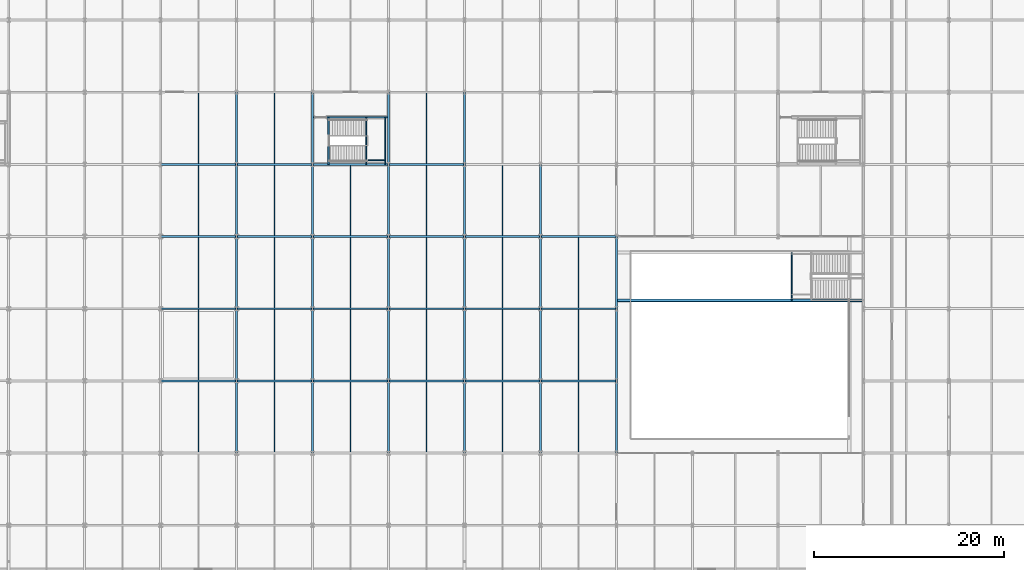
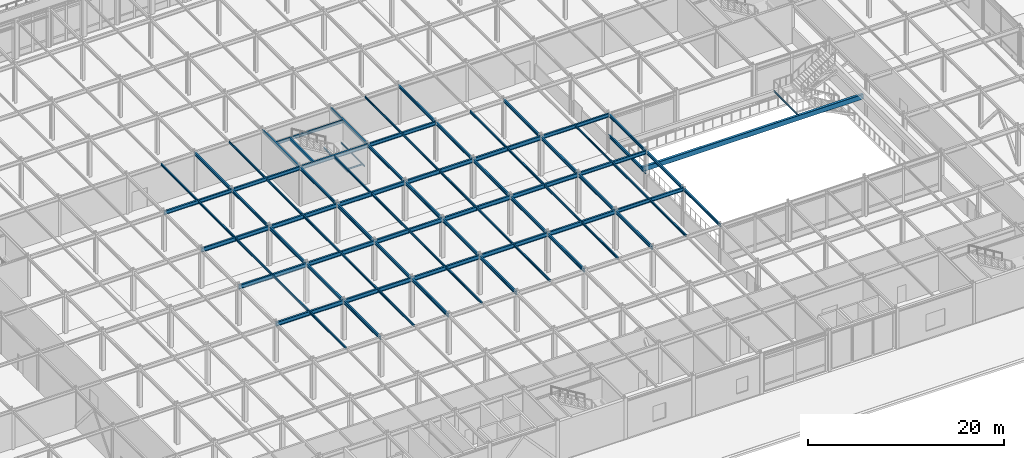
# One storey, part 31 of 113: 83 beams.
"""IFC4 building model written with IfcOpenShell, lengths in metres."""

from ifc_helpers import new_model, si_unit, direction, frame, origin, origin_2d, place, context, subcontext, project, spatial, hollow_rectangle, i_section, extrude, material, material_profile, profile_set, type_object, element, save


model = new_model("IFC4")

# Units and contexts
model_context = context("Model", 3, precision=1e-05, world=origin(), true_north=direction((0.0, 1.0)))
body_context = subcontext(model_context, "Body", "Model", "MODEL_VIEW")
ifc_project = project(units=[si_unit("LENGTHUNIT", "METRE"), si_unit("AREAUNIT", "SQUARE_METRE"), si_unit("VOLUMEUNIT", "CUBIC_METRE"), si_unit("PLANEANGLEUNIT", "RADIAN"), si_unit("MASSUNIT", "GRAM", prefix="KILO")], contexts=[model_context])

# Site, building, storey
site_placement = place(None, origin())
site = spatial("IfcSite", under=ifc_project, at=site_placement, CompositionType="ELEMENT")
building_placement = place(site_placement, origin())
building = spatial("IfcBuilding", under=site, at=building_placement, Name="Shalkamar Park Central Library", CompositionType="ELEMENT")
storey_placement = place(building_placement, frame((0.0, 0.0, 5.39990234375)))
storey = spatial("IfcBuildingStorey", under=building, at=storey_placement, Name="L02", CompositionType="ELEMENT", Elevation=5.39990234375)

# Beams
ifc_material = material(Name="Steel S355", Category="steel")
ifc_material_profile_1 = material_profile(ifc_material, hollow_rectangle(XDim=0.300048828125, YDim=0.60009765625, WallThickness=0.01611328125, InnerFilletRadius=0.01611328125, OuterFilletRadius=0.02392578125, at=origin_2d()), Name="RHS 600x300x16")
ifc_profile_set_1 = profile_set([ifc_material_profile_1], Name="Steel S355")
beam_type_1 = type_object("IfcBeamType", Name="Atrium Monumental Stringer RHS600x300", PredefinedType="BEAM", material=ifc_profile_set_1)
beam_1_placement = place(storey_placement, frame((229.0, 286.47998046875, 1.97021484375), z_axis=(1.0, 0.0, 0.0), x_axis=(0.0, 1.0, 0.0)))
element("IfcBeam", 1, at=beam_1_placement, inside=storey, type_object=beam_type_1, Name="Atrium Stair ST-A2 Carriage Girder S", PredefinedType="BEAM", context=body_context, shape_type="SweptSolid", body=[
    extrude(hollow_rectangle(XDim=0.300048828125, YDim=0.60009765625, WallThickness=0.01611328125, InnerFilletRadius=0.01611328125, OuterFilletRadius=0.02392578125, at=origin_2d()), origin(), (0.0, 0.0, 1.0), 26.0),
])
ifc_material_profile_2 = material_profile(ifc_material, i_section(OverallWidth=0.10009765625, OverallDepth=0.199951171875, WebThickness=0.005615234375, FlangeThickness=0.008544921875, FilletRadius=0.011962890625, at=origin_2d()), Name="IPE 200")
ifc_profile_set_2 = profile_set([ifc_material_profile_2], Name="Steel S355")
beam_type_2 = type_object("IfcBeamType", Name="Composite Floor Joist IPE200", PredefinedType="JOIST", material=ifc_profile_set_2)
for number, where, z_axis, x_axis, name in (
    (2, (202.675048828125, 300.800048828125, 2.170166015625), (0.0, 1.0, 0.0), (-1.0, 0.0, 0.0), "Stair Half-Landing Beam ST-P7-L02-1"),
    (3, (204.64501953125, 300.800048828125, 2.170166015625), (0.0, 1.0, 0.0), (-1.0, 0.0, 0.0), "Stair Half-Landing Beam ST-P7-L02-2"),
):
    element("IfcBeam", number, at=place(storey_placement, frame(where, z_axis=z_axis, x_axis=x_axis)), inside=storey, type_object=beam_type_2, Name=name, PredefinedType="JOIST", context=body_context, shape_type="SweptSolid", body=[
        extrude(i_section(OverallWidth=0.10009765625, OverallDepth=0.199951171875, WebThickness=0.005615234375, FlangeThickness=0.008544921875, FilletRadius=0.011962890625, at=origin_2d()), origin(), (0.0, 0.0, 1.0), 4.949951171875),
    ])
beam_2_placement = place(storey_placement, frame((202.675048828125, 301.22509765625, 2.170166015625), z_axis=(1.0, 0.0, 0.0), x_axis=(0.0, 1.0, 0.0)))
element("IfcBeam", 4, at=beam_2_placement, inside=storey, type_object=beam_type_2, Name="Stair Half-Landing Cross Tie ST-P7-L02-3", PredefinedType="JOIST", context=body_context, shape_type="SweptSolid", body=[
    extrude(i_section(OverallWidth=0.10009765625, OverallDepth=0.199951171875, WebThickness=0.005615234375, FlangeThickness=0.008544921875, FilletRadius=0.011962890625, at=origin_2d()), origin(), (0.0, 0.0, 1.0), 1.969970703125),
])
beam_3_placement = place(storey_placement, frame((247.449951171875, 286.47998046875, 2.170166015625), z_axis=(0.0, 1.0, 0.0), x_axis=(-1.0, 0.0, 0.0)))
element("IfcBeam", 5, at=beam_3_placement, inside=storey, type_object=beam_type_2, Name="Atrium Stair ST-A2 Landing Beam 1", PredefinedType="JOIST", context=body_context, shape_type="SweptSolid", body=[
    extrude(i_section(OverallWidth=0.10009765625, OverallDepth=0.199951171875, WebThickness=0.005615234375, FlangeThickness=0.008544921875, FilletRadius=0.011962890625, at=origin_2d()), origin(), (0.0, 0.0, 1.0), 5.0400390625),
])
ifc_material_profile_3 = material_profile(ifc_material, i_section(OverallWidth=0.1201171875, OverallDepth=0.239990234375, WebThickness=0.006103515625, FlangeThickness=0.009765625, FilletRadius=0.014892578125, at=origin_2d()), Name="IPE 240")
ifc_profile_set_3 = profile_set([ifc_material_profile_3], Name="Steel S355")
beam_type_3 = type_object("IfcBeamType", Name="Composite Floor Joist IPE240", PredefinedType="JOIST", material=ifc_profile_set_3)
for number, where, z_axis, x_axis, name in (
    (6, (185.0, 300.89306640625, 4.739990234375), (0.0, 1.0, 0.0), (-1.0, 0.0, 0.0), "Composite Joist 09/J-1 (L02)"),
    (7, (193.0, 300.89306640625, 4.739990234375), (0.0, 1.0, 0.0), (-1.0, 0.0, 0.0), "Composite Joist 10/J-1 (L02)"),
    (8, (209.0, 300.89306640625, 4.739990234375), (0.0, 1.0, 0.0), (-1.0, 0.0, 0.0), "Composite Joist 12/J-1 (L02)"),
    (9, (225.0, 285.693115234375, 4.739990234375), (0.0, 1.0, 0.0), (-1.0, 0.0, 0.0), "Composite Joist 14/G-1 (L02)"),
):
    element("IfcBeam", number, at=place(storey_placement, frame(where, z_axis=z_axis, x_axis=x_axis)), inside=storey, type_object=beam_type_3, Name=name, PredefinedType="JOIST", context=body_context, shape_type="SweptSolid", body=[
        extrude(i_section(OverallWidth=0.1201171875, OverallDepth=0.239990234375, WebThickness=0.006103515625, FlangeThickness=0.009765625, FilletRadius=0.014892578125, at=origin_2d()), origin(), (0.0, 0.0, 1.0), 7.413818359375),
    ])
ifc_material_profile_4 = material_profile(ifc_material, i_section(OverallWidth=0.135009765625, OverallDepth=0.27001953125, WebThickness=0.006591796875, FlangeThickness=0.01025390625, FilletRadius=0.014892578125, at=origin_2d()), Name="IPE 270")
ifc_profile_set_4 = profile_set([ifc_material_profile_4], Name="Steel S355")
beam_type_4 = type_object("IfcBeamType", Name="Composite Floor Joist IPE270", PredefinedType="JOIST", material=ifc_profile_set_4)
for number, where, z_axis, x_axis, name in (
    (10, (185.0, 270.498046875, 4.72509765625), (0.0, 1.0, 0.0), (-1.0, 0.0, 0.0), "Composite Joist 09/E-1 (L02)"),
    (11, (185.0, 278.097900390625, 4.72509765625), (0.0, 1.0, 0.0), (-1.0, 0.0, 0.0), "Composite Joist 09/F-1 (L02)"),
    (12, (185.0, 285.697998046875, 4.72509765625), (0.0, 1.0, 0.0), (-1.0, 0.0, 0.0), "Composite Joist 09/G-1 (L02)"),
):
    element("IfcBeam", number, at=place(storey_placement, frame(where, z_axis=z_axis, x_axis=x_axis)), inside=storey, type_object=beam_type_4, Name=name, PredefinedType="JOIST", context=body_context, shape_type="SweptSolid", body=[
        extrude(i_section(OverallWidth=0.135009765625, OverallDepth=0.27001953125, WebThickness=0.006591796875, FlangeThickness=0.01025390625, FilletRadius=0.014892578125, at=origin_2d()), origin(), (0.0, 0.0, 1.0), 7.404052734375),
    ])
beam_4_placement = place(storey_placement, frame((185.0, 293.298095703125, 4.72509765625), z_axis=(0.0, 1.0, 0.0), x_axis=(-1.0, 0.0, 0.0)))
element("IfcBeam", 13, at=beam_4_placement, inside=storey, type_object=beam_type_4, Name="Composite Joist 09/H-1 (L02)", PredefinedType="JOIST", context=body_context, shape_type="SweptSolid", body=[
    extrude(i_section(OverallWidth=0.135009765625, OverallDepth=0.27001953125, WebThickness=0.006591796875, FlangeThickness=0.01025390625, FilletRadius=0.014892578125, at=origin_2d()), origin(), (0.0, 0.0, 1.0), 7.408935546875),
])
for number, where, z_axis, x_axis, name in (
    (14, (193.0, 270.498046875, 4.72509765625), (0.0, 1.0, 0.0), (-1.0, 0.0, 0.0), "Composite Joist 10/E-1 (L02)"),
    (15, (193.0, 278.097900390625, 4.72509765625), (0.0, 1.0, 0.0), (-1.0, 0.0, 0.0), "Composite Joist 10/F-1 (L02)"),
    (16, (193.0, 285.697998046875, 4.72509765625), (0.0, 1.0, 0.0), (-1.0, 0.0, 0.0), "Composite Joist 10/G-1 (L02)"),
):
    element("IfcBeam", number, at=place(storey_placement, frame(where, z_axis=z_axis, x_axis=x_axis)), inside=storey, type_object=beam_type_4, Name=name, PredefinedType="JOIST", context=body_context, shape_type="SweptSolid", body=[
        extrude(i_section(OverallWidth=0.135009765625, OverallDepth=0.27001953125, WebThickness=0.006591796875, FlangeThickness=0.01025390625, FilletRadius=0.014892578125, at=origin_2d()), origin(), (0.0, 0.0, 1.0), 7.404052734375),
    ])
beam_5_placement = place(storey_placement, frame((193.0, 293.298095703125, 4.72509765625), z_axis=(0.0, 1.0, 0.0), x_axis=(-1.0, 0.0, 0.0)))
element("IfcBeam", 17, at=beam_5_placement, inside=storey, type_object=beam_type_4, Name="Composite Joist 10/H-1 (L02)", PredefinedType="JOIST", context=body_context, shape_type="SweptSolid", body=[
    extrude(i_section(OverallWidth=0.135009765625, OverallDepth=0.27001953125, WebThickness=0.006591796875, FlangeThickness=0.01025390625, FilletRadius=0.014892578125, at=origin_2d()), origin(), (0.0, 0.0, 1.0), 7.408935546875),
])
for number, where, z_axis, x_axis, name in (
    (18, (201.0, 270.498046875, 4.72509765625), (0.0, 1.0, 0.0), (-1.0, 0.0, 0.0), "Composite Joist 11/E-1 (L02)"),
    (19, (201.0, 278.097900390625, 4.72509765625), (0.0, 1.0, 0.0), (-1.0, 0.0, 0.0), "Composite Joist 11/F-1 (L02)"),
    (20, (201.0, 285.697998046875, 4.72509765625), (0.0, 1.0, 0.0), (-1.0, 0.0, 0.0), "Composite Joist 11/G-1 (L02)"),
):
    element("IfcBeam", number, at=place(storey_placement, frame(where, z_axis=z_axis, x_axis=x_axis)), inside=storey, type_object=beam_type_4, Name=name, PredefinedType="JOIST", context=body_context, shape_type="SweptSolid", body=[
        extrude(i_section(OverallWidth=0.135009765625, OverallDepth=0.27001953125, WebThickness=0.006591796875, FlangeThickness=0.01025390625, FilletRadius=0.014892578125, at=origin_2d()), origin(), (0.0, 0.0, 1.0), 7.404052734375),
    ])
beam_6_placement = place(storey_placement, frame((201.0, 293.298095703125, 4.72509765625), z_axis=(0.0, 1.0, 0.0), x_axis=(-1.0, 0.0, 0.0)))
element("IfcBeam", 21, at=beam_6_placement, inside=storey, type_object=beam_type_4, Name="Composite Joist 11/H-1 (L02)", PredefinedType="JOIST", context=body_context, shape_type="SweptSolid", body=[
    extrude(i_section(OverallWidth=0.135009765625, OverallDepth=0.27001953125, WebThickness=0.006591796875, FlangeThickness=0.01025390625, FilletRadius=0.014892578125, at=origin_2d()), origin(), (0.0, 0.0, 1.0), 7.408935546875),
])
for number, where, z_axis, x_axis, name in (
    (22, (209.0, 270.498046875, 4.72509765625), (0.0, 1.0, 0.0), (-1.0, 0.0, 0.0), "Composite Joist 12/E-1 (L02)"),
    (23, (209.0, 278.097900390625, 4.72509765625), (0.0, 1.0, 0.0), (-1.0, 0.0, 0.0), "Composite Joist 12/F-1 (L02)"),
    (24, (209.0, 285.697998046875, 4.72509765625), (0.0, 1.0, 0.0), (-1.0, 0.0, 0.0), "Composite Joist 12/G-1 (L02)"),
):
    element("IfcBeam", number, at=place(storey_placement, frame(where, z_axis=z_axis, x_axis=x_axis)), inside=storey, type_object=beam_type_4, Name=name, PredefinedType="JOIST", context=body_context, shape_type="SweptSolid", body=[
        extrude(i_section(OverallWidth=0.135009765625, OverallDepth=0.27001953125, WebThickness=0.006591796875, FlangeThickness=0.01025390625, FilletRadius=0.014892578125, at=origin_2d()), origin(), (0.0, 0.0, 1.0), 7.404052734375),
    ])
beam_7_placement = place(storey_placement, frame((209.0, 293.298095703125, 4.72509765625), z_axis=(0.0, 1.0, 0.0), x_axis=(-1.0, 0.0, 0.0)))
element("IfcBeam", 25, at=beam_7_placement, inside=storey, type_object=beam_type_4, Name="Composite Joist 12/H-1 (L02)", PredefinedType="JOIST", context=body_context, shape_type="SweptSolid", body=[
    extrude(i_section(OverallWidth=0.135009765625, OverallDepth=0.27001953125, WebThickness=0.006591796875, FlangeThickness=0.01025390625, FilletRadius=0.014892578125, at=origin_2d()), origin(), (0.0, 0.0, 1.0), 7.408935546875),
])
for number, where, z_axis, x_axis, name in (
    (26, (217.0, 270.498046875, 4.72509765625), (0.0, 1.0, 0.0), (-1.0, 0.0, 0.0), "Composite Joist 13/E-1 (L02)"),
    (27, (217.0, 278.097900390625, 4.72509765625), (0.0, 1.0, 0.0), (-1.0, 0.0, 0.0), "Composite Joist 13/F-1 (L02)"),
    (28, (217.0, 285.697998046875, 4.72509765625), (0.0, 1.0, 0.0), (-1.0, 0.0, 0.0), "Composite Joist 13/G-1 (L02)"),
):
    element("IfcBeam", number, at=place(storey_placement, frame(where, z_axis=z_axis, x_axis=x_axis)), inside=storey, type_object=beam_type_4, Name=name, PredefinedType="JOIST", context=body_context, shape_type="SweptSolid", body=[
        extrude(i_section(OverallWidth=0.135009765625, OverallDepth=0.27001953125, WebThickness=0.006591796875, FlangeThickness=0.01025390625, FilletRadius=0.014892578125, at=origin_2d()), origin(), (0.0, 0.0, 1.0), 7.404052734375),
    ])
beam_8_placement = place(storey_placement, frame((217.0, 293.298095703125, 4.72509765625), z_axis=(0.0, 1.0, 0.0), x_axis=(-1.0, 0.0, 0.0)))
element("IfcBeam", 29, at=beam_8_placement, inside=storey, type_object=beam_type_4, Name="Composite Joist 13/H-1 (L02)", PredefinedType="JOIST", context=body_context, shape_type="SweptSolid", body=[
    extrude(i_section(OverallWidth=0.135009765625, OverallDepth=0.27001953125, WebThickness=0.006591796875, FlangeThickness=0.01025390625, FilletRadius=0.014892578125, at=origin_2d()), origin(), (0.0, 0.0, 1.0), 7.408935546875),
])
for number, where, z_axis, x_axis, name in (
    (30, (225.0, 270.492919921875, 4.72509765625), (0.0, 1.0, 0.0), (-1.0, 0.0, 0.0), "Composite Joist 14/E-1 (L02)"),
    (31, (225.0, 278.093017578125, 4.72509765625), (0.0, 1.0, 0.0), (-1.0, 0.0, 0.0), "Composite Joist 14/F-1 (L02)"),
):
    element("IfcBeam", number, at=place(storey_placement, frame(where, z_axis=z_axis, x_axis=x_axis)), inside=storey, type_object=beam_type_4, Name=name, PredefinedType="JOIST", context=body_context, shape_type="SweptSolid", body=[
        extrude(i_section(OverallWidth=0.135009765625, OverallDepth=0.27001953125, WebThickness=0.006591796875, FlangeThickness=0.01025390625, FilletRadius=0.014892578125, at=origin_2d()), origin(), (0.0, 0.0, 1.0), 7.4140625),
    ])
ifc_material_profile_5 = material_profile(ifc_material, i_section(OverallWidth=0.169921875, OverallDepth=0.360107421875, WebThickness=0.008056640625, FlangeThickness=0.0126953125, FilletRadius=0.01806640625, at=origin_2d()), Name="IPE 360")
ifc_profile_set_5 = profile_set([ifc_material_profile_5], Name="Steel S355")
beam_type_5 = type_object("IfcBeamType", Name="Primary Girder IPE360", PredefinedType="BEAM", material=ifc_profile_set_5)
beam_9_placement = place(storey_placement, frame((189.0, 293.199951171875, 4.68017578125), z_axis=(0.0, 1.0, 0.0), x_axis=(-1.0, 0.0, 0.0)))
element("IfcBeam", 32, at=beam_9_placement, inside=storey, type_object=beam_type_5, Name="Beam 10:H-J (L02)", PredefinedType="BEAM", context=body_context, shape_type="SweptSolid", body=[
    extrude(i_section(OverallWidth=0.169921875, OverallDepth=0.360107421875, WebThickness=0.008056640625, FlangeThickness=0.0126953125, FilletRadius=0.01806640625, at=origin_2d()), origin(), (0.0, 0.0, 1.0), 7.60009765625),
])
beam_10_placement = place(storey_placement, frame((189.0, 300.800048828125, 4.68017578125), z_axis=(0.0, 1.0, 0.0), x_axis=(-1.0, 0.0, 0.0)))
element("IfcBeam", 33, at=beam_10_placement, inside=storey, type_object=beam_type_5, Name="Beam 10:J-K (L02)", PredefinedType="BEAM", context=body_context, shape_type="SweptSolid", body=[
    extrude(i_section(OverallWidth=0.169921875, OverallDepth=0.360107421875, WebThickness=0.008056640625, FlangeThickness=0.0126953125, FilletRadius=0.01806640625, at=origin_2d()), origin(), (0.0, 0.0, 1.0), 7.599853515625),
])
beam_11_placement = place(storey_placement, frame((197.0, 293.199951171875, 4.68017578125), z_axis=(0.0, 1.0, 0.0), x_axis=(-1.0, 0.0, 0.0)))
element("IfcBeam", 34, at=beam_11_placement, inside=storey, type_object=beam_type_5, Name="Beam 11:H-J (L02)", PredefinedType="BEAM", context=body_context, shape_type="SweptSolid", body=[
    extrude(i_section(OverallWidth=0.169921875, OverallDepth=0.360107421875, WebThickness=0.008056640625, FlangeThickness=0.0126953125, FilletRadius=0.01806640625, at=origin_2d()), origin(), (0.0, 0.0, 1.0), 7.60009765625),
])
beam_12_placement = place(storey_placement, frame((197.0, 300.800048828125, 4.68017578125), z_axis=(0.0, 1.0, 0.0), x_axis=(-1.0, 0.0, 0.0)))
element("IfcBeam", 35, at=beam_12_placement, inside=storey, type_object=beam_type_5, Name="Beam 11:J-K (L02)", PredefinedType="BEAM", context=body_context, shape_type="SweptSolid", body=[
    extrude(i_section(OverallWidth=0.169921875, OverallDepth=0.360107421875, WebThickness=0.008056640625, FlangeThickness=0.0126953125, FilletRadius=0.01806640625, at=origin_2d()), origin(), (0.0, 0.0, 1.0), 7.599853515625),
])
beam_13_placement = place(storey_placement, frame((205.0, 293.199951171875, 4.68017578125), z_axis=(0.0, 1.0, 0.0), x_axis=(-1.0, 0.0, 0.0)))
element("IfcBeam", 36, at=beam_13_placement, inside=storey, type_object=beam_type_5, Name="Beam 12:H-J (L02)", PredefinedType="BEAM", context=body_context, shape_type="SweptSolid", body=[
    extrude(i_section(OverallWidth=0.169921875, OverallDepth=0.360107421875, WebThickness=0.008056640625, FlangeThickness=0.0126953125, FilletRadius=0.01806640625, at=origin_2d()), origin(), (0.0, 0.0, 1.0), 7.60009765625),
])
beam_14_placement = place(storey_placement, frame((205.0, 300.800048828125, 4.68017578125), z_axis=(0.0, 1.0, 0.0), x_axis=(-1.0, 0.0, 0.0)))
element("IfcBeam", 37, at=beam_14_placement, inside=storey, type_object=beam_type_5, Name="Beam 12:J-K (L02)", PredefinedType="BEAM", context=body_context, shape_type="SweptSolid", body=[
    extrude(i_section(OverallWidth=0.169921875, OverallDepth=0.360107421875, WebThickness=0.008056640625, FlangeThickness=0.0126953125, FilletRadius=0.01806640625, at=origin_2d()), origin(), (0.0, 0.0, 1.0), 7.599853515625),
])
beam_15_placement = place(storey_placement, frame((213.0, 293.199951171875, 4.68017578125), z_axis=(0.0, 1.0, 0.0), x_axis=(-1.0, 0.0, 0.0)))
element("IfcBeam", 38, at=beam_15_placement, inside=storey, type_object=beam_type_5, Name="Beam 13:H-J (L02)", PredefinedType="BEAM", context=body_context, shape_type="SweptSolid", body=[
    extrude(i_section(OverallWidth=0.169921875, OverallDepth=0.360107421875, WebThickness=0.008056640625, FlangeThickness=0.0126953125, FilletRadius=0.01806640625, at=origin_2d()), origin(), (0.0, 0.0, 1.0), 7.60009765625),
])
beam_16_placement = place(storey_placement, frame((213.0, 300.800048828125, 4.68017578125), z_axis=(0.0, 1.0, 0.0), x_axis=(-1.0, 0.0, 0.0)))
element("IfcBeam", 39, at=beam_16_placement, inside=storey, type_object=beam_type_5, Name="Beam 13:J-K (L02)", PredefinedType="BEAM", context=body_context, shape_type="SweptSolid", body=[
    extrude(i_section(OverallWidth=0.169921875, OverallDepth=0.360107421875, WebThickness=0.008056640625, FlangeThickness=0.0126953125, FilletRadius=0.01806640625, at=origin_2d()), origin(), (0.0, 0.0, 1.0), 7.599853515625),
])
for number, where, z_axis, x_axis, name in (
    (40, (221.0, 293.199951171875, 4.68017578125), (0.0, 1.0, 0.0), (-1.0, 0.0, 0.0), "Beam 14:H-J (L02)"),
    (41, (229.0, 270.39990234375, 4.68017578125), (0.0, 1.0, 0.0), (-1.0, 0.0, 0.0), "Beam 15:E-F (L02)"),
    (42, (229.0, 278.0, 4.68017578125), (0.0, 1.0, 0.0), (-1.0, 0.0, 0.0), "Beam 15:F-G (L02)"),
):
    element("IfcBeam", number, at=place(storey_placement, frame(where, z_axis=z_axis, x_axis=x_axis)), inside=storey, type_object=beam_type_5, Name=name, PredefinedType="BEAM", context=body_context, shape_type="SweptSolid", body=[
        extrude(i_section(OverallWidth=0.169921875, OverallDepth=0.360107421875, WebThickness=0.008056640625, FlangeThickness=0.0126953125, FilletRadius=0.01806640625, at=origin_2d()), origin(), (0.0, 0.0, 1.0), 7.60009765625),
    ])
beam_17_placement = place(storey_placement, frame((229.0, 285.60009765625, 4.68017578125), z_axis=(0.0, 1.0, 0.0), x_axis=(-1.0, 0.0, 0.0)))
element("IfcBeam", 43, at=beam_17_placement, inside=storey, type_object=beam_type_5, Name="Beam 15:G-H (L02)", PredefinedType="BEAM", context=body_context, shape_type="SweptSolid", body=[
    extrude(i_section(OverallWidth=0.169921875, OverallDepth=0.360107421875, WebThickness=0.008056640625, FlangeThickness=0.0126953125, FilletRadius=0.01806640625, at=origin_2d()), origin(), (0.0, 0.0, 1.0), 7.599853515625),
])
beam_18_placement = place(storey_placement, frame((197.087890625, 305.75, 4.68017578125), z_axis=(1.0, 0.0, 0.0), x_axis=(0.0, 1.0, 0.0)))
element("IfcBeam", 44, at=beam_18_placement, inside=storey, type_object=beam_type_5, Name="CORE-P7 Stairwell Divider Beam (L02)", PredefinedType="BEAM", context=body_context, shape_type="SweptSolid", body=[
    extrude(i_section(OverallWidth=0.169921875, OverallDepth=0.360107421875, WebThickness=0.008056640625, FlangeThickness=0.0126953125, FilletRadius=0.01806640625, at=origin_2d()), origin(), (0.0, 0.0, 1.0), 7.82421875),
])
beam_19_placement = place(storey_placement, frame((229.0, 285.60009765625, 2.090087890625), z_axis=(0.0, 1.0, 0.0), x_axis=(-1.0, 0.0, 0.0)))
element("IfcBeam", 45, at=beam_19_placement, inside=storey, type_object=beam_type_5, Name="Atrium Stair ST-A2 End Header W", PredefinedType="BEAM", context=body_context, shape_type="SweptSolid", body=[
    extrude(i_section(OverallWidth=0.169921875, OverallDepth=0.360107421875, WebThickness=0.008056640625, FlangeThickness=0.0126953125, FilletRadius=0.01806640625, at=origin_2d()), origin(), (0.0, 0.0, 1.0), 7.599853515625),
])
ifc_material_profile_6 = material_profile(ifc_material, i_section(OverallWidth=0.179931640625, OverallDepth=0.39990234375, WebThickness=0.008544921875, FlangeThickness=0.013427734375, FilletRadius=0.02099609375, at=origin_2d()), Name="IPE 400")
ifc_profile_set_6 = profile_set([ifc_material_profile_6], Name="Steel S355")
beam_type_6 = type_object("IfcBeamType", Name="Primary Girder IPE400", PredefinedType="BEAM", material=ifc_profile_set_6)
for number, where, z_axis, x_axis, name in (
    (46, (189.0, 270.39990234375, 4.66015625), (0.0, 1.0, 0.0), (-1.0, 0.0, 0.0), "Beam 10:E-F (L02)"),
    (47, (189.0, 278.0, 4.66015625), (0.0, 1.0, 0.0), (-1.0, 0.0, 0.0), "Beam 10:F-G (L02)"),
):
    element("IfcBeam", number, at=place(storey_placement, frame(where, z_axis=z_axis, x_axis=x_axis)), inside=storey, type_object=beam_type_6, Name=name, PredefinedType="BEAM", context=body_context, shape_type="SweptSolid", body=[
        extrude(i_section(OverallWidth=0.179931640625, OverallDepth=0.39990234375, WebThickness=0.008544921875, FlangeThickness=0.013427734375, FilletRadius=0.02099609375, at=origin_2d()), origin(), (0.0, 0.0, 1.0), 7.60009765625),
    ])
beam_20_placement = place(storey_placement, frame((189.0, 285.60009765625, 4.66015625), z_axis=(0.0, 1.0, 0.0), x_axis=(-1.0, 0.0, 0.0)))
element("IfcBeam", 48, at=beam_20_placement, inside=storey, type_object=beam_type_6, Name="Beam 10:G-H (L02)", PredefinedType="BEAM", context=body_context, shape_type="SweptSolid", body=[
    extrude(i_section(OverallWidth=0.179931640625, OverallDepth=0.39990234375, WebThickness=0.008544921875, FlangeThickness=0.013427734375, FilletRadius=0.02099609375, at=origin_2d()), origin(), (0.0, 0.0, 1.0), 7.599853515625),
])
for number, where, z_axis, x_axis, name in (
    (49, (197.0, 270.39990234375, 4.66015625), (0.0, 1.0, 0.0), (-1.0, 0.0, 0.0), "Beam 11:E-F (L02)"),
    (50, (197.0, 278.0, 4.66015625), (0.0, 1.0, 0.0), (-1.0, 0.0, 0.0), "Beam 11:F-G (L02)"),
):
    element("IfcBeam", number, at=place(storey_placement, frame(where, z_axis=z_axis, x_axis=x_axis)), inside=storey, type_object=beam_type_6, Name=name, PredefinedType="BEAM", context=body_context, shape_type="SweptSolid", body=[
        extrude(i_section(OverallWidth=0.179931640625, OverallDepth=0.39990234375, WebThickness=0.008544921875, FlangeThickness=0.013427734375, FilletRadius=0.02099609375, at=origin_2d()), origin(), (0.0, 0.0, 1.0), 7.60009765625),
    ])
beam_21_placement = place(storey_placement, frame((197.0, 285.60009765625, 4.66015625), z_axis=(0.0, 1.0, 0.0), x_axis=(-1.0, 0.0, 0.0)))
element("IfcBeam", 51, at=beam_21_placement, inside=storey, type_object=beam_type_6, Name="Beam 11:G-H (L02)", PredefinedType="BEAM", context=body_context, shape_type="SweptSolid", body=[
    extrude(i_section(OverallWidth=0.179931640625, OverallDepth=0.39990234375, WebThickness=0.008544921875, FlangeThickness=0.013427734375, FilletRadius=0.02099609375, at=origin_2d()), origin(), (0.0, 0.0, 1.0), 7.599853515625),
])
for number, where, z_axis, x_axis, name in (
    (52, (205.0, 270.39990234375, 4.66015625), (0.0, 1.0, 0.0), (-1.0, 0.0, 0.0), "Beam 12:E-F (L02)"),
    (53, (205.0, 278.0, 4.66015625), (0.0, 1.0, 0.0), (-1.0, 0.0, 0.0), "Beam 12:F-G (L02)"),
):
    element("IfcBeam", number, at=place(storey_placement, frame(where, z_axis=z_axis, x_axis=x_axis)), inside=storey, type_object=beam_type_6, Name=name, PredefinedType="BEAM", context=body_context, shape_type="SweptSolid", body=[
        extrude(i_section(OverallWidth=0.179931640625, OverallDepth=0.39990234375, WebThickness=0.008544921875, FlangeThickness=0.013427734375, FilletRadius=0.02099609375, at=origin_2d()), origin(), (0.0, 0.0, 1.0), 7.60009765625),
    ])
beam_22_placement = place(storey_placement, frame((205.0, 285.60009765625, 4.66015625), z_axis=(0.0, 1.0, 0.0), x_axis=(-1.0, 0.0, 0.0)))
element("IfcBeam", 54, at=beam_22_placement, inside=storey, type_object=beam_type_6, Name="Beam 12:G-H (L02)", PredefinedType="BEAM", context=body_context, shape_type="SweptSolid", body=[
    extrude(i_section(OverallWidth=0.179931640625, OverallDepth=0.39990234375, WebThickness=0.008544921875, FlangeThickness=0.013427734375, FilletRadius=0.02099609375, at=origin_2d()), origin(), (0.0, 0.0, 1.0), 7.599853515625),
])
for number, where, z_axis, x_axis, name in (
    (55, (213.0, 270.39990234375, 4.66015625), (0.0, 1.0, 0.0), (-1.0, 0.0, 0.0), "Beam 13:E-F (L02)"),
    (56, (213.0, 278.0, 4.66015625), (0.0, 1.0, 0.0), (-1.0, 0.0, 0.0), "Beam 13:F-G (L02)"),
):
    element("IfcBeam", number, at=place(storey_placement, frame(where, z_axis=z_axis, x_axis=x_axis)), inside=storey, type_object=beam_type_6, Name=name, PredefinedType="BEAM", context=body_context, shape_type="SweptSolid", body=[
        extrude(i_section(OverallWidth=0.179931640625, OverallDepth=0.39990234375, WebThickness=0.008544921875, FlangeThickness=0.013427734375, FilletRadius=0.02099609375, at=origin_2d()), origin(), (0.0, 0.0, 1.0), 7.60009765625),
    ])
beam_23_placement = place(storey_placement, frame((213.0, 285.60009765625, 4.66015625), z_axis=(0.0, 1.0, 0.0), x_axis=(-1.0, 0.0, 0.0)))
element("IfcBeam", 57, at=beam_23_placement, inside=storey, type_object=beam_type_6, Name="Beam 13:G-H (L02)", PredefinedType="BEAM", context=body_context, shape_type="SweptSolid", body=[
    extrude(i_section(OverallWidth=0.179931640625, OverallDepth=0.39990234375, WebThickness=0.008544921875, FlangeThickness=0.013427734375, FilletRadius=0.02099609375, at=origin_2d()), origin(), (0.0, 0.0, 1.0), 7.599853515625),
])
for number, where, z_axis, x_axis, name in (
    (58, (221.0, 270.39990234375, 4.66015625), (0.0, 1.0, 0.0), (-1.0, 0.0, 0.0), "Beam 14:E-F (L02)"),
    (59, (221.0, 278.0, 4.66015625), (0.0, 1.0, 0.0), (-1.0, 0.0, 0.0), "Beam 14:F-G (L02)"),
):
    element("IfcBeam", number, at=place(storey_placement, frame(where, z_axis=z_axis, x_axis=x_axis)), inside=storey, type_object=beam_type_6, Name=name, PredefinedType="BEAM", context=body_context, shape_type="SweptSolid", body=[
        extrude(i_section(OverallWidth=0.179931640625, OverallDepth=0.39990234375, WebThickness=0.008544921875, FlangeThickness=0.013427734375, FilletRadius=0.02099609375, at=origin_2d()), origin(), (0.0, 0.0, 1.0), 7.60009765625),
    ])
beam_24_placement = place(storey_placement, frame((221.0, 285.60009765625, 4.66015625), z_axis=(0.0, 1.0, 0.0), x_axis=(-1.0, 0.0, 0.0)))
element("IfcBeam", 60, at=beam_24_placement, inside=storey, type_object=beam_type_6, Name="Beam 14:G-H (L02)", PredefinedType="BEAM", context=body_context, shape_type="SweptSolid", body=[
    extrude(i_section(OverallWidth=0.179931640625, OverallDepth=0.39990234375, WebThickness=0.008544921875, FlangeThickness=0.013427734375, FilletRadius=0.02099609375, at=origin_2d()), origin(), (0.0, 0.0, 1.0), 7.599853515625),
])
ifc_material_profile_7 = material_profile(ifc_material, i_section(OverallWidth=0.18994140625, OverallDepth=0.449951171875, WebThickness=0.009521484375, FlangeThickness=0.0146484375, FilletRadius=0.02099609375, at=origin_2d()), Name="IPE 450")
ifc_profile_set_7 = profile_set([ifc_material_profile_7], Name="Steel S355")
beam_type_7 = type_object("IfcBeamType", Name="Primary Girder IPE450", PredefinedType="BEAM", material=ifc_profile_set_7)
for number, where, z_axis, x_axis, name in (
    (61, (221.0, 278.0, 4.635009765625), (1.0, 0.0, 0.0), (0.0, 1.0, 0.0), "Beam F:14-15 (L02)"),
    (62, (221.0, 285.60009765625, 4.635009765625), (1.0, 0.0, 0.0), (0.0, 1.0, 0.0), "Beam G:14-15 (L02)"),
    (63, (221.0, 293.199951171875, 4.635009765625), (1.0, 0.0, 0.0), (0.0, 1.0, 0.0), "Beam H:14-15 (L02)"),
    (64, (181.0, 300.800048828125, 4.635009765625), (1.0, 0.0, 0.0), (0.0, 1.0, 0.0), "Beam J:09-10 (L02)"),
    (65, (189.0, 300.800048828125, 4.635009765625), (1.0, 0.0, 0.0), (0.0, 1.0, 0.0), "Beam J:10-11 (L02)"),
    (66, (197.0, 300.800048828125, 4.635009765625), (1.0, 0.0, 0.0), (0.0, 1.0, 0.0), "Beam J:11-12 (L02)"),
    (67, (205.0, 300.800048828125, 4.635009765625), (1.0, 0.0, 0.0), (0.0, 1.0, 0.0), "Beam J:12-13 (L02)"),
):
    element("IfcBeam", number, at=place(storey_placement, frame(where, z_axis=z_axis, x_axis=x_axis)), inside=storey, type_object=beam_type_7, Name=name, PredefinedType="BEAM", context=body_context, shape_type="SweptSolid", body=[
        extrude(i_section(OverallWidth=0.18994140625, OverallDepth=0.449951171875, WebThickness=0.009521484375, FlangeThickness=0.0146484375, FilletRadius=0.02099609375, at=origin_2d()), origin(), (0.0, 0.0, 1.0), 8.0),
    ])
ifc_material_profile_8 = material_profile(ifc_material, i_section(OverallWidth=0.199951171875, OverallDepth=0.5, WebThickness=0.01025390625, FlangeThickness=0.01611328125, FilletRadius=0.02099609375, at=origin_2d()), Name="IPE 500")
ifc_profile_set_8 = profile_set([ifc_material_profile_8], Name="Steel S355")
beam_type_8 = type_object("IfcBeamType", Name="Primary Girder IPE500", PredefinedType="BEAM", material=ifc_profile_set_8)
for number, where, z_axis, x_axis, name in (
    (68, (181.0, 278.0, 4.610107421875), (1.0, 0.0, 0.0), (0.0, 1.0, 0.0), "Beam F:09-10 (L02)"),
    (69, (189.0, 278.0, 4.610107421875), (1.0, 0.0, 0.0), (0.0, 1.0, 0.0), "Beam F:10-11 (L02)"),
    (70, (197.0, 278.0, 4.610107421875), (1.0, 0.0, 0.0), (0.0, 1.0, 0.0), "Beam F:11-12 (L02)"),
    (71, (205.0, 278.0, 4.610107421875), (1.0, 0.0, 0.0), (0.0, 1.0, 0.0), "Beam F:12-13 (L02)"),
    (72, (213.0, 278.0, 4.610107421875), (1.0, 0.0, 0.0), (0.0, 1.0, 0.0), "Beam F:13-14 (L02)"),
    (73, (181.0, 285.60009765625, 4.610107421875), (1.0, 0.0, 0.0), (0.0, 1.0, 0.0), "Beam G:09-10 (L02)"),
    (74, (189.0, 285.60009765625, 4.610107421875), (1.0, 0.0, 0.0), (0.0, 1.0, 0.0), "Beam G:10-11 (L02)"),
    (75, (197.0, 285.60009765625, 4.610107421875), (1.0, 0.0, 0.0), (0.0, 1.0, 0.0), "Beam G:11-12 (L02)"),
    (76, (205.0, 285.60009765625, 4.610107421875), (1.0, 0.0, 0.0), (0.0, 1.0, 0.0), "Beam G:12-13 (L02)"),
    (77, (213.0, 285.60009765625, 4.610107421875), (1.0, 0.0, 0.0), (0.0, 1.0, 0.0), "Beam G:13-14 (L02)"),
    (78, (181.0, 293.199951171875, 4.610107421875), (1.0, 0.0, 0.0), (0.0, 1.0, 0.0), "Beam H:09-10 (L02)"),
    (79, (189.0, 293.199951171875, 4.610107421875), (1.0, 0.0, 0.0), (0.0, 1.0, 0.0), "Beam H:10-11 (L02)"),
    (80, (197.0, 293.199951171875, 4.610107421875), (1.0, 0.0, 0.0), (0.0, 1.0, 0.0), "Beam H:11-12 (L02)"),
    (81, (205.0, 293.199951171875, 4.610107421875), (1.0, 0.0, 0.0), (0.0, 1.0, 0.0), "Beam H:12-13 (L02)"),
    (82, (213.0, 293.199951171875, 4.610107421875), (1.0, 0.0, 0.0), (0.0, 1.0, 0.0), "Beam H:13-14 (L02)"),
):
    element("IfcBeam", number, at=place(storey_placement, frame(where, z_axis=z_axis, x_axis=x_axis)), inside=storey, type_object=beam_type_8, Name=name, PredefinedType="BEAM", context=body_context, shape_type="SweptSolid", body=[
        extrude(i_section(OverallWidth=0.199951171875, OverallDepth=0.5, WebThickness=0.01025390625, FlangeThickness=0.01611328125, FilletRadius=0.02099609375, at=origin_2d()), origin(), (0.0, 0.0, 1.0), 8.0),
    ])
ifc_material_profile_9 = material_profile(ifc_material, hollow_rectangle(XDim=0.199951171875, YDim=0.300048828125, WallThickness=0.011962890625, InnerFilletRadius=0.011962890625, OuterFilletRadius=0.01806640625, at=origin_2d()), Name="RHS 300x200x12")
ifc_profile_set_9 = profile_set([ifc_material_profile_9], Name="Steel S355")
beam_type_9 = type_object("IfcBeamType", Name="Stair Trimmer Box RHS300x200", PredefinedType="BEAM", material=ifc_profile_set_9)
beam_25_placement = place(storey_placement, frame((198.695068359375, 300.800048828125, 4.710205078125), z_axis=(0.0, 1.0, 0.0), x_axis=(-1.0, 0.0, 0.0)))
element("IfcBeam", 83, at=beam_25_placement, inside=storey, type_object=beam_type_9, Name="Stair Arrival Trimmer Girder ST-P7-L02", PredefinedType="BEAM", context=body_context, shape_type="SweptSolid", body=[
    extrude(hollow_rectangle(XDim=0.199951171875, YDim=0.300048828125, WallThickness=0.011962890625, InnerFilletRadius=0.011962890625, OuterFilletRadius=0.01806640625, at=origin_2d()), origin(), (0.0, 0.0, 1.0), 4.949951171875),
])

save(model, "model.ifc")
